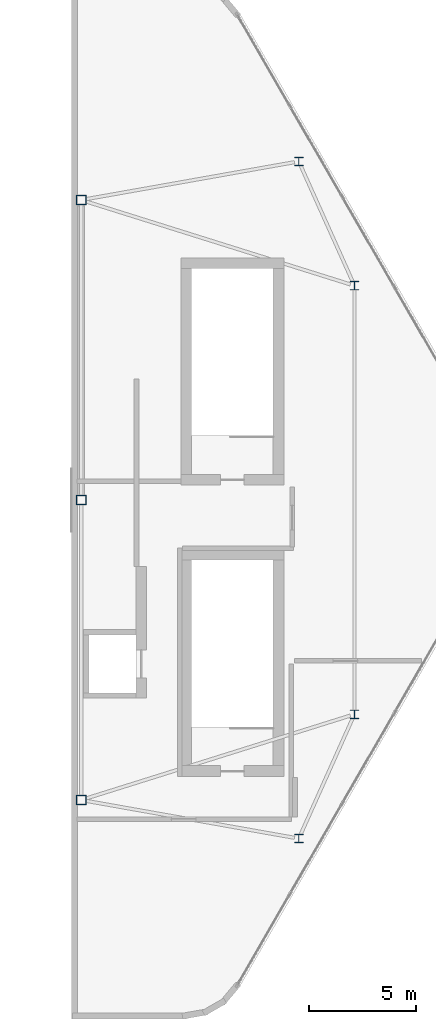
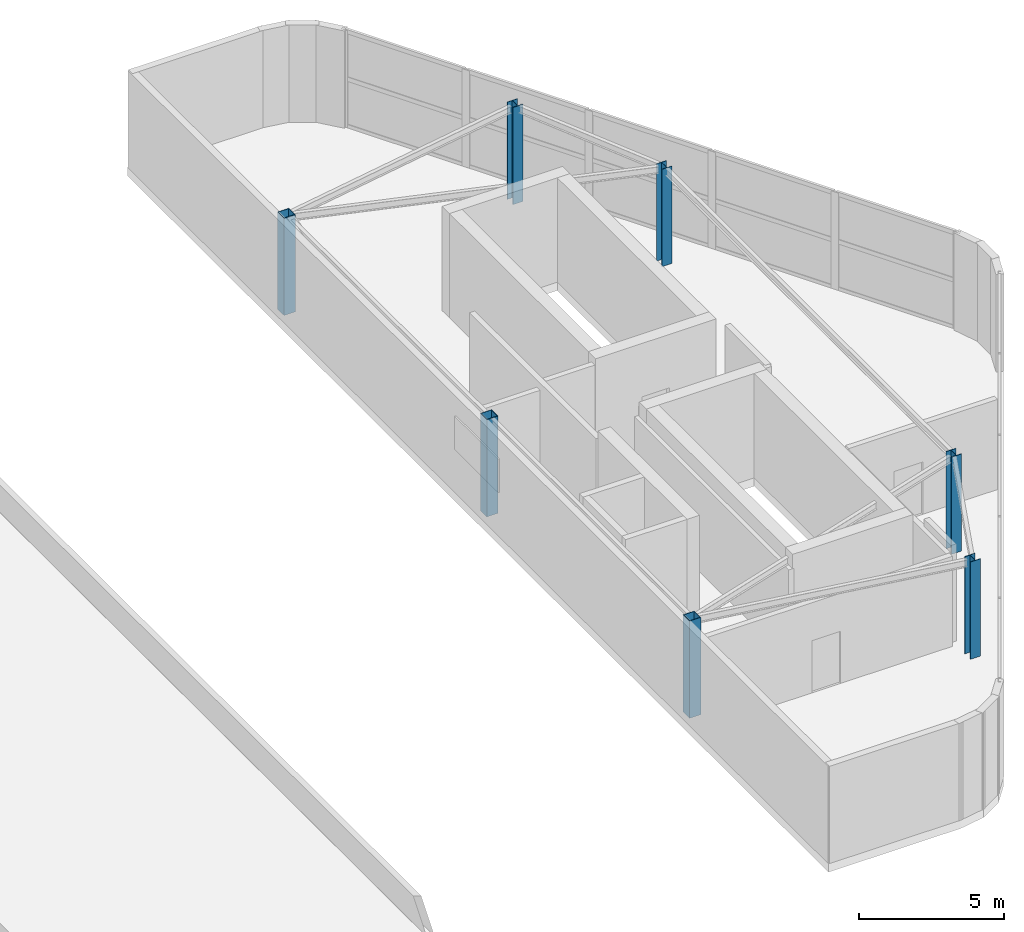
# One storey, part 1 of 8: 7 columns.
"""IFC4 building model written with IfcOpenShell, lengths in metres."""

from ifc_helpers import new_model, si_unit, direction, frame, origin, origin_2d, place, context, subcontext, project, spatial, hollow_rectangle, i_section, extrude, material, material_profile, profile_set, type_object, element, save


model = new_model("IFC4")

# Units and contexts
model_context = context("Model", 3, precision=1e-05, world=origin(), true_north=direction((0.0, 1.0)))
body_context = subcontext(model_context, "Body", "Model", "MODEL_VIEW")
ifc_project = project(units=[si_unit("LENGTHUNIT", "METRE"), si_unit("AREAUNIT", "SQUARE_METRE"), si_unit("VOLUMEUNIT", "CUBIC_METRE"), si_unit("PLANEANGLEUNIT", "RADIAN"), si_unit("MASSUNIT", "GRAM", prefix="KILO")], contexts=[model_context])

# Site, building, storey
site_placement = place(None, origin())
site = spatial("IfcSite", under=ifc_project, at=site_placement, CompositionType="ELEMENT")
building_placement = place(site_placement, origin())
building = spatial("IfcBuilding", under=site, at=building_placement, Name="Zuhravey Tower", CompositionType="ELEMENT")
storey_placement = place(building_placement, frame((0.0, 0.0, 383.39990234375)))
storey = spatial("IfcBuildingStorey", under=building, at=storey_placement, Name="L97", CompositionType="ELEMENT", Elevation=383.39990234375)

# Columns
ifc_material = material(Name="Steel SM355", Category="steel")
ifc_material_profile_1 = material_profile(ifc_material, i_section(OverallWidth=0.39990234375, OverallDepth=0.39990234375, WebThickness=0.012939453125, FlangeThickness=0.02099609375, at=origin_2d()), Name="H-400x400x13x21")
ifc_profile_set_1 = profile_set([ifc_material_profile_1], Name="Steel SM355")
column_type_1 = type_object("IfcColumnType", Name="Crown Crest Column H400x400", PredefinedType="COLUMN", material=ifc_profile_set_1)
for number, where, z_axis, x_axis, name in (
    (1, (56.199951171875, 22.0, 0.0), (0.0, 0.0, 1.0), (1.0, 0.0, 0.0), "L97 East Crest Column EC1"),
    (2, (56.199951171875, 42.0, 0.0), (0.0, 0.0, 1.0), (1.0, 0.0, 0.0), "L97 East Crest Column EC2"),
    (3, (53.60009765625, 16.199951171875, 0.0), (0.0, 0.0, 1.0), (1.0, 0.0, 0.0), "L97 East Crest Column EC3"),
    (4, (53.60009765625, 47.800048828125, 0.0), (0.0, 0.0, 1.0), (1.0, 0.0, 0.0), "L97 East Crest Column EC4"),
):
    element("IfcColumn", number, at=place(storey_placement, frame(where, z_axis=z_axis, x_axis=x_axis)), inside=storey, type_object=column_type_1, Name=name, PredefinedType="COLUMN", context=body_context, shape_type="SweptSolid", body=[
        extrude(i_section(OverallWidth=0.39990234375, OverallDepth=0.39990234375, WebThickness=0.012939453125, FlangeThickness=0.02099609375, at=origin_2d()), origin(), (0.0, 0.0, 1.0), 4.10009765625),
    ])
ifc_material_profile_2 = material_profile(ifc_material, hollow_rectangle(XDim=0.449951171875, YDim=0.449951171875, WallThickness=0.02197265625, at=origin_2d()), Name="RHS-450x450x22")
ifc_profile_set_2 = profile_set([ifc_material_profile_2], Name="Steel SM355")
column_type_2 = type_object("IfcColumnType", Name="Crown Portal Pilaster RHS450x450", PredefinedType="PILASTER", material=ifc_profile_set_2)
for number, where, z_axis, x_axis, name in (
    (5, (43.449951171875, 18.0, 0.0), (0.0, 0.0, 1.0), (1.0, 0.0, 0.0), "L97 East Crest Column EP1"),
    (6, (43.449951171875, 32.0, 0.0), (0.0, 0.0, 1.0), (1.0, 0.0, 0.0), "L97 East Crest Column EP2"),
    (7, (43.449951171875, 46.0, 0.0), (0.0, 0.0, 1.0), (1.0, 0.0, 0.0), "L97 East Crest Column EP3"),
):
    element("IfcColumn", number, at=place(storey_placement, frame(where, z_axis=z_axis, x_axis=x_axis)), inside=storey, type_object=column_type_2, Name=name, PredefinedType="PILASTER", context=body_context, shape_type="SweptSolid", body=[
        extrude(hollow_rectangle(XDim=0.449951171875, YDim=0.449951171875, WallThickness=0.02197265625, at=origin_2d()), origin(), (0.0, 0.0, 1.0), 4.10009765625),
    ])

save(model, "model.ifc")
